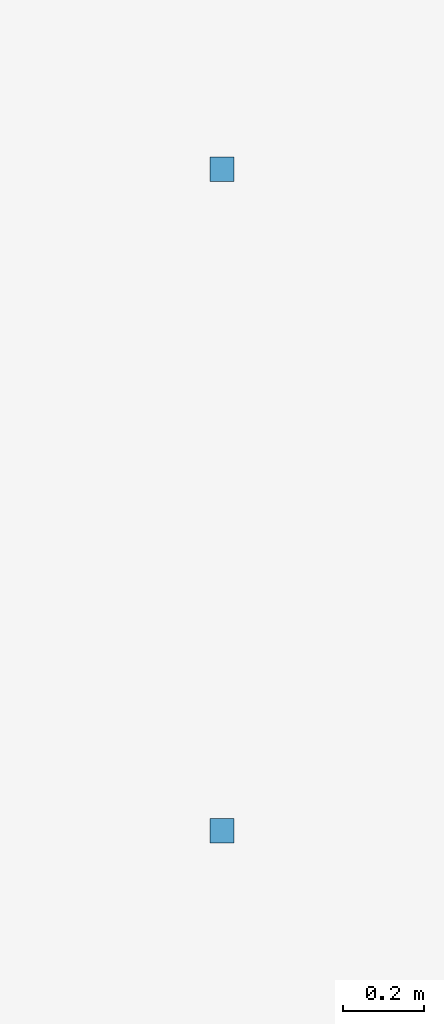
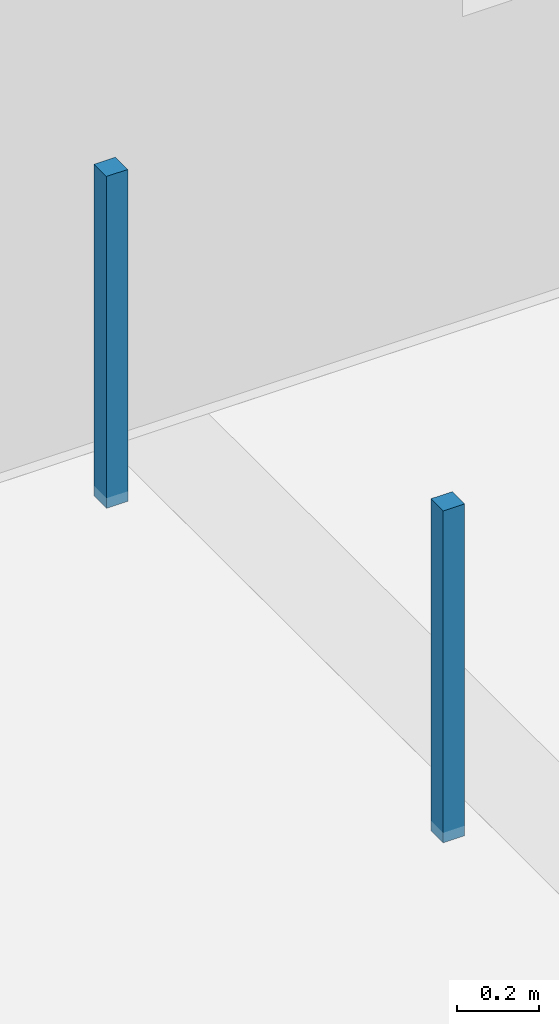
# One storey, part 19 of 36: 2 discrete accessories.
"""IFC4 building model written with IfcOpenShell, lengths in metres."""

from ifc_helpers import new_model, si_unit, direction, frame, origin, origin_2d, place, context, subcontext, project, spatial, rectangle, extrude, material, type_object, element, save


model = new_model("IFC4")

# Units and contexts
model_context = context("Model", 3, precision=1e-05, world=origin(), true_north=direction((0.0, 1.0)))
body_context = subcontext(model_context, "Body", "Model", "MODEL_VIEW")
ifc_project = project(units=[si_unit("LENGTHUNIT", "METRE"), si_unit("AREAUNIT", "SQUARE_METRE"), si_unit("VOLUMEUNIT", "CUBIC_METRE"), si_unit("PLANEANGLEUNIT", "RADIAN"), si_unit("MASSUNIT", "GRAM", prefix="KILO")], contexts=[model_context])

# Site, building, storey
site_placement = place(None, origin())
site = spatial("IfcSite", under=ifc_project, at=site_placement, CompositionType="ELEMENT")
building_placement = place(site_placement, origin())
building = spatial("IfcBuilding", under=site, at=building_placement, Name="Telukmera Botanical Conservatory", CompositionType="ELEMENT")
storey_placement = place(building_placement, frame((0.0, 0.0, 33.0)))
storey = spatial("IfcBuildingStorey", under=building, at=storey_placement, Name="L07", CompositionType="ELEMENT", Elevation=33.0)

# Discrete accessories
ifc_material = material(Name="Steel S355", Category="steel")
discrete_accessory_type = type_object("IfcDiscreteAccessoryType", Name="ACC-CEIL-HGR", PredefinedType="BRACKET", material=ifc_material)
for number, where, z_axis, x_axis, name in (
    (1, (93.98388671875, 36.6875, 3.31982421875), (0.0, 0.0, 1.0), (1.0, 0.0, 0.0), "L07 Suspended Ceiling Hanger Rod 029-1"),
    (2, (93.98388671875, 38.324951171875, 3.31982421875), (0.0, 0.0, 1.0), (1.0, 0.0, 0.0), "L07 Suspended Ceiling Hanger Rod 029-2"),
):
    element("IfcDiscreteAccessory", number, at=place(storey_placement, frame(where, z_axis=z_axis, x_axis=x_axis)), inside=storey, type_object=discrete_accessory_type, Name=name, PredefinedType="BRACKET", context=body_context, shape_type="SweptSolid", body=[
        extrude(rectangle(XDim=0.06005859375, YDim=0.06005859375, at=origin_2d()), origin(), (0.0, 0.0, 1.0), 0.985107421875),
    ])

save(model, "model.ifc")
